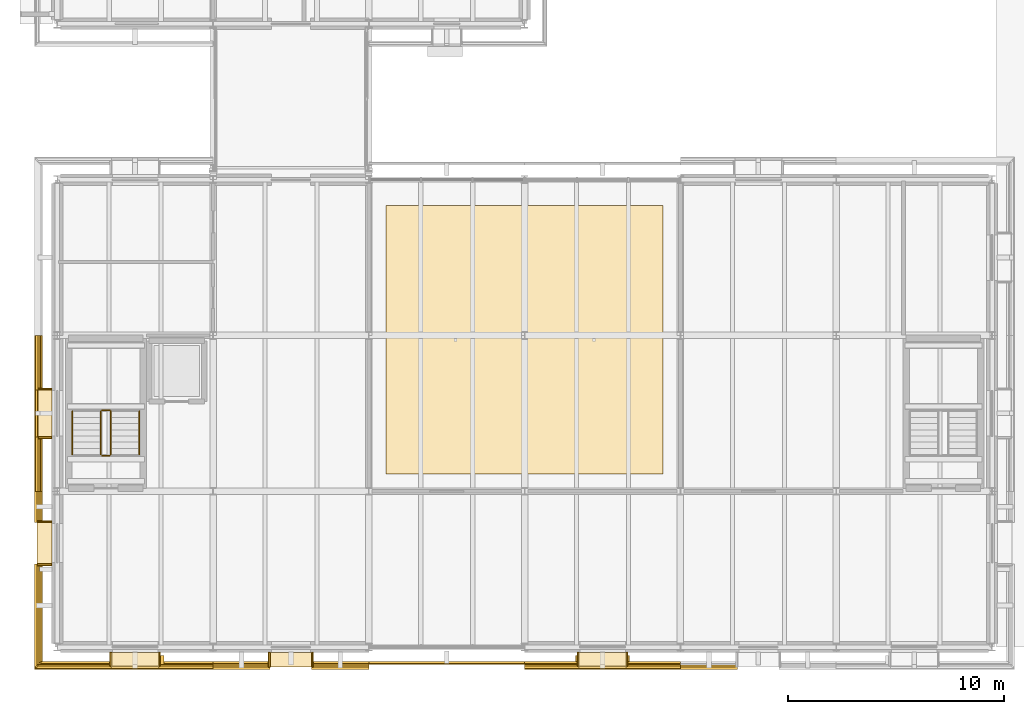
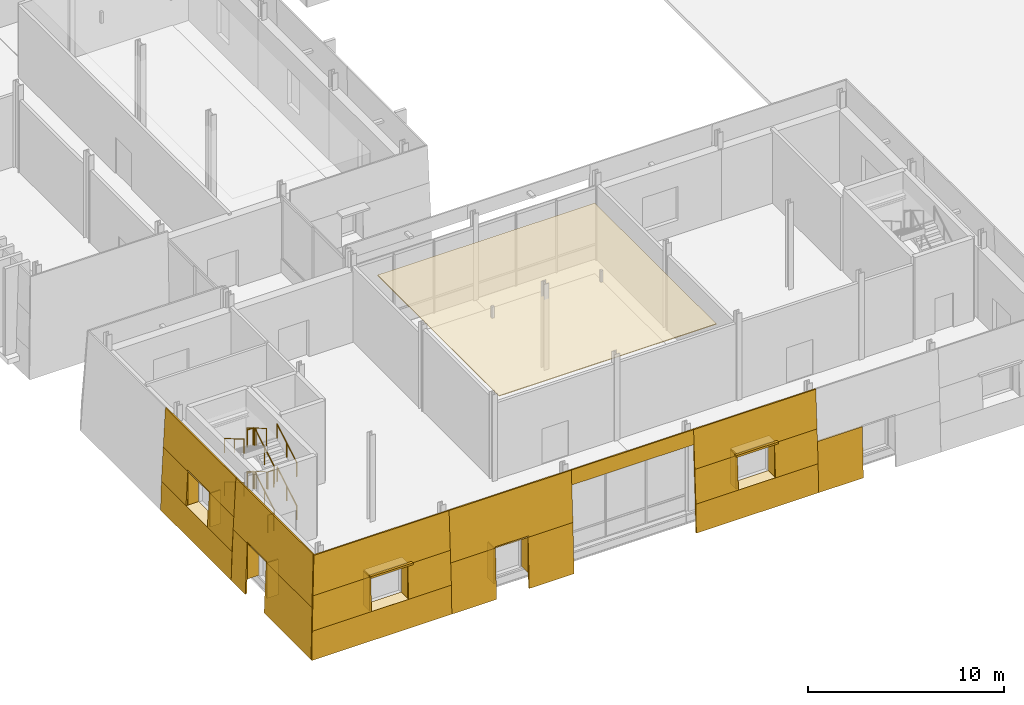
# One storey, part 98 of 120: 39 coverings, 12 railings, 2 shading devices.
"""IFC4 building model written with IfcOpenShell, lengths in metres."""

from ifc_helpers import new_model, si_unit, direction, frame, origin, origin_2d, place, context, subcontext, project, spatial, polyline, rectangle, circle, outline, extrude, material, layer, layer_set, type_object, element, save


model = new_model("IFC4")

# Units and contexts
model_context = context("Model", 3, precision=1e-05, world=origin(), true_north=direction((0.0, 1.0)))
body_context = subcontext(model_context, "Body", "Model", "MODEL_VIEW")
ifc_project = project(units=[si_unit("LENGTHUNIT", "METRE"), si_unit("AREAUNIT", "SQUARE_METRE"), si_unit("VOLUMEUNIT", "CUBIC_METRE"), si_unit("PLANEANGLEUNIT", "RADIAN"), si_unit("MASSUNIT", "GRAM", prefix="KILO")], contexts=[model_context])

# Site, building, storey
site_placement = place(None, origin())
site = spatial("IfcSite", under=ifc_project, at=site_placement, CompositionType="ELEMENT")
building_placement = place(site_placement, origin())
building = spatial("IfcBuilding", under=site, at=building_placement, Name="Narikvali Park Central Library", CompositionType="ELEMENT")
storey_placement = place(building_placement, origin())
storey = spatial("IfcBuildingStorey", under=building, at=storey_placement, Name="L00", CompositionType="ELEMENT", Elevation=0.0)

# Coverings
ifc_material_1 = material(Name="Acoustic Micro-Perforated Caucasian Oak")
ifc_layer_1 = layer(ifc_material_1, 0.044921875, Name="Acoustic Micro-Perforated Caucasian Oak")
ifc_layer_set_1 = layer_set([ifc_layer_1], Name="Acoustic Micro-Perforated Caucasian Oak")
covering_type_1 = type_object("IfcCoveringType", Name="Acoustic Perforated Timber Suspended Ceiling", PredefinedType="CEILING", material=ifc_layer_set_1)
covering_1_placement = place(storey_placement, frame((0.0, 0.0, 4.39501953125)))
element("IfcCovering", 1, at=covering_1_placement, inside=storey, type_object=covering_type_1, Name="V2 L00 Acoustic Suspended Ceiling 03", PredefinedType="CEILING", context=body_context, shape_type="SweptSolid", body=[
    extrude(outline(polyline([(15.199951171875, 8.0), (28.0, 8.0), (28.0, 20.39990234375), (15.199951171875, 20.39990234375), (15.199951171875, 8.0)])), origin(), (0.0, 0.0, 1.0), 0.044921875),
])
ifc_material_2 = material(Name="White Honed Limestone Cladding", Category="masonry")
ifc_layer_2 = layer(ifc_material_2, 0.0849609375, Name="White Honed Limestone Cladding")
ifc_layer_set_2 = layer_set([ifc_layer_2], Name="White Honed Limestone Cladding")
covering_type_2 = type_object("IfcCoveringType", Name="Battered White Limestone Facade Cladding Panel", PredefinedType="CLADDING", material=ifc_layer_set_2)
covering_2_placement = place(storey_placement, frame((-1.0400390625, -1.0400390625, -0.8798828125), z_axis=(0.0, -0.999653349735, 0.026328318676), x_axis=(1.0, 0.0, 0.0)))
element("IfcCovering", 2, at=covering_2_placement, inside=storey, type_object=covering_type_2, Name="V2 L00 S Battered Limestone Spandrel B01", PredefinedType="CLADDING", context=body_context, shape_type="SweptSolid", body=[
    extrude(outline(polyline([(0.0, 0.0), (8.239990234375, 0.0), (8.239990234375, 1.7804023331912475), (0.046875, 1.7804023331912475), (0.0, 0.0)])), origin(), (0.0, 0.0, -1.0), 0.0849609375),
])
covering_3_placement = place(storey_placement, frame((-0.883544921875, -0.883544921875, 3.0), z_axis=(0.0, -0.998646306508, 0.052014944957), x_axis=(1.0, 0.0, 0.0)))
element("IfcCovering", 3, at=covering_3_placement, inside=storey, type_object=covering_type_2, Name="V2 L00 S Battered Limestone Lintel B01", PredefinedType="CLADDING", context=body_context, shape_type="SweptSolid", body=[
    extrude(outline(polyline([(0.0, 0.0), (8.08349609375, 0.0), (8.08349609375, 2.403155479684313), (0.125, 2.403155479684313), (0.0, 0.0)])), origin(), (0.0, 0.0, -1.0), 0.0849609375),
])
covering_4_placement = place(storey_placement, frame((-0.9931640625, -0.9931640625, 0.89990234375), z_axis=(0.0, -0.998640505436, 0.05212620169), x_axis=(1.0, 0.0, 0.0)))
element("IfcCovering", 4, at=covering_4_placement, inside=storey, type_object=covering_type_2, Name="V2 L00 S Battered Limestone Jamb Pier L B01", PredefinedType="CLADDING", context=body_context, shape_type="SweptSolid", body=[
    extrude(outline(polyline([(0.0, 0.0), (3.503173828125, 0.0), (3.503173828125, 2.102956614335661), (0.109619140625, 2.102956614335661), (0.0, 0.0)])), origin(), (0.0, 0.0, -1.0), 0.0849609375),
])
covering_5_placement = place(storey_placement, frame((4.68994140625, -0.9931640625, 0.89990234375), z_axis=(0.0, -0.998640505436, 0.05212620169), x_axis=(1.0, 0.0, 0.0)))
element("IfcCovering", 5, at=covering_5_placement, inside=storey, type_object=covering_type_2, Name="V2 L00 S Battered Limestone Jamb Pier R B01", PredefinedType="CLADDING", context=body_context, shape_type="SweptSolid", body=[
    extrude(outline(polyline([(0.0, 0.0), (2.510009765625, 0.0), (2.510009765625, 2.102956614335661), (0.0, 2.102956614335661), (0.0, 0.0)])), origin(), (0.0, 0.0, -1.0), 0.0849609375),
])
covering_6_placement = place(storey_placement, frame((7.199951171875, -1.0400390625, -0.8798828125), z_axis=(0.0, -0.999301161828, 0.037378977647), x_axis=(1.0, 0.0, 0.0)))
element("IfcCovering", 6, at=covering_6_placement, inside=storey, type_object=covering_type_2, Name="V2 L00 S Battered Portal Pier L B02", PredefinedType="CLADDING", context=body_context, shape_type="SweptSolid", body=[
    extrude(outline(polyline([(0.0, 0.0), (2.64013671875, 0.0), (2.64013671875, 3.1220548579859955), (0.0, 3.1220548579859955), (0.0, 0.0)])), origin(), (0.0, 0.0, -1.0), 0.0849609375),
])
covering_7_placement = place(storey_placement, frame((11.760009765625, -1.0400390625, -0.8798828125), z_axis=(0.0, -0.999301161828, 0.037378977647), x_axis=(1.0, 0.0, 0.0)))
element("IfcCovering", 7, at=covering_7_placement, inside=storey, type_object=covering_type_2, Name="V2 L00 S Battered Portal Pier R B02", PredefinedType="CLADDING", context=body_context, shape_type="SweptSolid", body=[
    extrude(outline(polyline([(0.0, 0.0), (2.639892578125, 0.0), (2.639892578125, 3.122054857985996), (0.0, 3.122054857985996), (0.0, 0.0)])), origin(), (0.0, 0.0, -1.0), 0.0849609375),
])
covering_8_placement = place(storey_placement, frame((7.199951171875, -0.92333984375, 2.239990234375), z_axis=(0.0, -0.998642865618, 0.052080965332), x_axis=(1.0, 0.0, 0.0)))
element("IfcCovering", 8, at=covering_8_placement, inside=storey, type_object=covering_type_2, Name="V2 L00 S Battered Portal Header B02", PredefinedType="CLADDING", context=body_context, shape_type="SweptSolid", body=[
    extrude(outline(polyline([(0.0, 0.0), (7.199951171875, 0.0), (7.199951171875, 3.1642063626208943), (0.0, 3.1642063626208943), (0.0, 0.0)])), origin(), (0.0, 0.0, -1.0), 0.0849609375),
])
covering_9_placement = place(storey_placement, frame((14.39990234375, -0.805419921875, 4.5), z_axis=(0.0, -0.998646123248, 0.052018463284), x_axis=(1.0, 0.0, 0.0)))
element("IfcCovering", 9, at=covering_9_placement, inside=storey, type_object=covering_type_2, Name="V2 L00 S Battered Limestone Spandrel Header B03", PredefinedType="CLADDING", context=body_context, shape_type="SweptSolid", body=[
    extrude(outline(polyline([(0.0, 0.0), (7.2001953125, 0.0), (7.2001953125, 0.9011223523538539), (0.0, 0.9011223523538539), (0.0, 0.0)])), origin(), (0.0, 0.0, -1.0), 0.0849609375),
])
covering_10_placement = place(storey_placement, frame((21.60009765625, -1.0400390625, -0.8798828125), z_axis=(0.0, -0.999653349735, 0.026328318676), x_axis=(1.0, 0.0, 0.0)))
element("IfcCovering", 10, at=covering_10_placement, inside=storey, type_object=covering_type_2, Name="V2 L00 S Battered Limestone Spandrel B04", PredefinedType="CLADDING", context=body_context, shape_type="SweptSolid", body=[
    extrude(outline(polyline([(0.0, 0.0), (7.199951171875, 0.0), (7.199951171875, 1.7804023331912473), (0.0, 1.7804023331912473), (0.0, 0.0)])), origin(), (0.0, 0.0, -1.0), 0.0849609375),
])
covering_11_placement = place(storey_placement, frame((21.60009765625, -0.883544921875, 3.0), z_axis=(0.0, -0.998646306508, 0.052014944957), x_axis=(1.0, 0.0, 0.0)))
element("IfcCovering", 11, at=covering_11_placement, inside=storey, type_object=covering_type_2, Name="V2 L00 S Battered Limestone Lintel B04", PredefinedType="CLADDING", context=body_context, shape_type="SweptSolid", body=[
    extrude(outline(polyline([(0.0, 0.0), (7.199951171875, 0.0), (7.199951171875, 2.4031554796843135), (0.0, 2.4031554796843135), (0.0, 0.0)])), origin(), (0.0, 0.0, -1.0), 0.0849609375),
])
for number, where, z_axis, x_axis, name in (
    (12, (21.60009765625, -0.9931640625, 0.89990234375), (0.0, -0.998640505436, 0.05212620169), (1.0, 0.0, 0.0), "V2 L00 S Battered Limestone Jamb Pier L B04"),
    (13, (26.2900390625, -0.9931640625, 0.89990234375), (0.0, -0.998640505436, 0.05212620169), (1.0, 0.0, 0.0), "V2 L00 S Battered Limestone Jamb Pier R B04"),
):
    element("IfcCovering", number, at=place(storey_placement, frame(where, z_axis=z_axis, x_axis=x_axis)), inside=storey, type_object=covering_type_2, Name=name, PredefinedType="CLADDING", context=body_context, shape_type="SweptSolid", body=[
        extrude(outline(polyline([(0.0, 0.0), (2.510009765625, 0.0), (2.510009765625, 2.102956614335661), (0.0, 2.102956614335661), (0.0, 0.0)])), origin(), (0.0, 0.0, -1.0), 0.0849609375),
    ])
covering_12_placement = place(storey_placement, frame((28.800048828125, -1.0400390625, -0.8798828125), z_axis=(0.0, -0.999301161828, 0.037378977647), x_axis=(1.0, 0.0, 0.0)))
element("IfcCovering", 14, at=covering_12_placement, inside=storey, type_object=covering_type_2, Name="V2 L00 S Battered Portal Pier L B05", PredefinedType="CLADDING", context=body_context, shape_type="SweptSolid", body=[
    extrude(outline(polyline([(0.0, 0.0), (2.639892578125, 0.0), (2.639892578125, 3.122054857985996), (0.0, 3.122054857985996), (0.0, 0.0)])), origin(), (0.0, 0.0, -1.0), 0.0849609375),
])
covering_13_placement = place(storey_placement, frame((-1.0400390625, 14.39990234375, -0.8798828125), z_axis=(-0.999653349735, 0.0, 0.026328318676), x_axis=(0.0, -1.0, 0.0)))
element("IfcCovering", 15, at=covering_13_placement, inside=storey, type_object=covering_type_2, Name="V2 L00 W Battered Limestone Spandrel B02", PredefinedType="CLADDING", context=body_context, shape_type="SweptSolid", body=[
    extrude(outline(polyline([(0.0, 0.0), (7.199951171875, 0.0), (7.199951171875, 1.7804023331912473), (0.0, 1.7804023331912473), (0.0, 0.0)])), origin(), (0.0, 0.0, -1.0), 0.0849609375),
])
covering_14_placement = place(storey_placement, frame((-0.883544921875, 14.39990234375, 3.0), z_axis=(-0.998646306508, 0.0, 0.052014944957), x_axis=(0.0, -1.0, 0.0)))
element("IfcCovering", 16, at=covering_14_placement, inside=storey, type_object=covering_type_2, Name="V2 L00 W Battered Limestone Lintel B02", PredefinedType="CLADDING", context=body_context, shape_type="SweptSolid", body=[
    extrude(outline(polyline([(0.0, 0.0), (7.199951171875, 0.0), (7.199951171875, 2.4031554796843135), (0.0, 2.4031554796843135), (0.0, 0.0)])), origin(), (0.0, 0.0, -1.0), 0.0849609375),
])
for number, where, z_axis, x_axis, name in (
    (17, (-0.9931640625, 14.39990234375, 0.89990234375), (-0.998640505436, 0.0, 0.05212620169), (0.0, -1.0, 0.0), "V2 L00 W Battered Limestone Jamb Pier L B02"),
    (18, (-0.9931640625, 9.7099609375, 0.89990234375), (-0.998640505436, 0.0, 0.05212620169), (0.0, -1.0, 0.0), "V2 L00 W Battered Limestone Jamb Pier R B02"),
):
    element("IfcCovering", number, at=place(storey_placement, frame(where, z_axis=z_axis, x_axis=x_axis)), inside=storey, type_object=covering_type_2, Name=name, PredefinedType="CLADDING", context=body_context, shape_type="SweptSolid", body=[
        extrude(outline(polyline([(0.0, 0.0), (2.510009765625, 0.0), (2.510009765625, 2.102956614335661), (0.0, 2.102956614335661), (0.0, 0.0)])), origin(), (0.0, 0.0, -1.0), 0.0849609375),
    ])
covering_15_placement = place(storey_placement, frame((-1.0400390625, 7.199951171875, -0.8798828125), z_axis=(-0.999301161828, 0.0, 0.037378977647), x_axis=(0.0, -1.0, 0.0)))
element("IfcCovering", 19, at=covering_15_placement, inside=storey, type_object=covering_type_2, Name="V2 L00 W Battered Portal Pier L B03", PredefinedType="CLADDING", context=body_context, shape_type="SweptSolid", body=[
    extrude(outline(polyline([(0.0, 0.0), (1.43994140625, 0.0), (1.43994140625, 3.1220548579859955), (0.0, 3.1220548579859955), (0.0, 0.0)])), origin(), (0.0, 0.0, -1.0), 0.0849609375),
])
covering_16_placement = place(storey_placement, frame((-1.0400390625, 3.840087890625, -0.8798828125), z_axis=(-0.999301161828, 0.0, 0.037378977647), x_axis=(0.0, -1.0, 0.0)))
element("IfcCovering", 20, at=covering_16_placement, inside=storey, type_object=covering_type_2, Name="V2 L00 W Battered Portal Pier R B03", PredefinedType="CLADDING", context=body_context, shape_type="SweptSolid", body=[
    extrude(outline(polyline([(0.0, 0.0), (4.795166015625, 0.0), (4.678466796875, 3.1220548579859955), (0.0, 3.1220548579859955), (0.0, 0.0)])), origin(), (0.0, 0.0, -1.0), 0.0849609375),
])
covering_17_placement = place(storey_placement, frame((-0.92333984375, 7.199951171875, 2.239990234375), z_axis=(-0.998642865618, 0.0, 0.052080965332), x_axis=(0.0, -1.0, 0.0)))
element("IfcCovering", 21, at=covering_17_placement, inside=storey, type_object=covering_type_2, Name="V2 L00 W Battered Portal Header B03", PredefinedType="CLADDING", context=body_context, shape_type="SweptSolid", body=[
    extrude(outline(polyline([(0.0, 0.0), (8.038330078125, 0.0), (7.87353515625, 3.164206362620894), (0.0, 3.164206362620894), (0.0, 0.0)])), origin(), (0.0, 0.0, -1.0), 0.0849609375),
])

# Shading devices
ifc_material_3 = material(Name="Anodised Bronze Aluminium", Category="aluminium")
ifc_layer_3 = layer(ifc_material_3, 0.1201171875, Name="Anodised Bronze Aluminium")
ifc_layer_set_3 = layer_set([ifc_layer_3], Name="Anodised Bronze Aluminium")
shading_device_type = type_object("IfcShadingDeviceType", Name="Bronze Classical Cornice Sun Brise-Soleil 650", PredefinedType="SHUTTER", material=ifc_layer_set_3)
for number, where, z_axis, x_axis, name in (
    (22, (3.677001953125, -0.719970703125, 3.0), (0.0, 0.0, 1.0), (1.0, 0.0, 0.0), "V2 L00 Classical Bronze Brise-Soleil 01"),
    (23, (25.199951171875, -0.719970703125, 3.0), (0.0, 0.0, 1.0), (1.0, 0.0, 0.0), "V2 L00 Classical Bronze Brise-Soleil 04"),
):
    element("IfcShadingDevice", number, at=place(storey_placement, frame(where, z_axis=z_axis, x_axis=x_axis)), inside=storey, type_object=shading_device_type, Name=name, PredefinedType="SHUTTER", context=body_context, shape_type="SweptSolid", body=[
        extrude(rectangle(XDim=2.5, YDim=0.64990234375, at=origin_2d()), origin(), (0.0, 0.0, 1.0), 0.1201171875),
    ])

# Coverings
ifc_layer_4 = layer(ifc_material_2, 0.080078125, Name="White Honed Limestone Cladding")
ifc_layer_set_4 = layer_set([ifc_layer_4], Name="White Honed Limestone Cladding")
covering_type_3 = type_object("IfcCoveringType", Name="Deep Carved White Limestone Window Reveal", PredefinedType="CLADDING", material=ifc_layer_set_4)
covering_18_placement = place(storey_placement, frame((0.0, 0.0, 3.0)))
element("IfcCovering", 24, at=covering_18_placement, inside=storey, type_object=covering_type_3, Name="Deep Stone Reveal Head V2-RVL-L00-S-B01", PredefinedType="CLADDING", context=body_context, shape_type="SweptSolid", body=[
    extrude(outline(polyline([(2.469970703125, -0.2451171875), (4.72998046875, -0.2451171875), (4.72998046875, -0.883544921875), (2.469970703125, -0.883544921875), (2.469970703125, -0.2451171875)])), origin(), (0.0, 0.0, 1.0), 0.080078125),
])
covering_19_placement = place(storey_placement, frame((0.0, 0.0, 0.820068359375)))
element("IfcCovering", 25, at=covering_19_placement, inside=storey, type_object=covering_type_3, Name="Deep Stone Reveal Sill V2-RVL-L00-S-B01", PredefinedType="CLADDING", context=body_context, shape_type="SweptSolid", body=[
    extrude(outline(polyline([(2.469970703125, -0.2451171875), (4.72998046875, -0.2451171875), (4.72998046875, -0.9931640625), (2.469970703125, -0.9931640625), (2.469970703125, -0.2451171875)])), origin(), (0.0, 0.0, 1.0), 0.079833984375),
])
covering_20_placement = place(storey_placement, frame((0.0, 0.0, 0.89990234375)))
element("IfcCovering", 26, at=covering_20_placement, inside=storey, type_object=covering_type_3, Name="Deep Stone Reveal Jamb L V2-RVL-L00-S-B01", PredefinedType="CLADDING", context=body_context, shape_type="SweptSolid", body=[
    extrude(outline(polyline([(2.429931640625, -0.2451171875), (2.510009765625, -0.2451171875), (2.510009765625, -0.883544921875), (2.429931640625, -0.883544921875), (2.429931640625, -0.2451171875)])), origin(), (0.0, 0.0, 1.0), 2.10009765625),
])
covering_21_placement = place(storey_placement, frame((0.0, 0.0, 0.89990234375)))
element("IfcCovering", 27, at=covering_21_placement, inside=storey, type_object=covering_type_3, Name="Deep Stone Reveal Jamb R V2-RVL-L00-S-B01", PredefinedType="CLADDING", context=body_context, shape_type="SweptSolid", body=[
    extrude(outline(polyline([(4.68994140625, -0.2451171875), (4.77001953125, -0.2451171875), (4.77001953125, -0.883544921875), (4.68994140625, -0.883544921875), (4.68994140625, -0.2451171875)])), origin(), (0.0, 0.0, 1.0), 2.10009765625),
])
covering_22_placement = place(storey_placement, frame((0.0, 0.0, 2.239990234375)))
element("IfcCovering", 28, at=covering_22_placement, inside=storey, type_object=covering_type_3, Name="Deep Stone Reveal Head V2-RVL-L00-S-B02", PredefinedType="CLADDING", context=body_context, shape_type="SweptSolid", body=[
    extrude(outline(polyline([(9.800048828125, -0.2451171875), (11.800048828125, -0.2451171875), (11.800048828125, -0.92333984375), (9.800048828125, -0.92333984375), (9.800048828125, -0.2451171875)])), origin(), (0.0, 0.0, 1.0), 0.080078125),
])
covering_23_placement = place(storey_placement, frame((0.0, 0.0, 0.02001953125)))
element("IfcCovering", 29, at=covering_23_placement, inside=storey, type_object=covering_type_3, Name="Deep Stone Reveal Jamb L V2-RVL-L00-S-B02", PredefinedType="CLADDING", context=body_context, shape_type="SweptSolid", body=[
    extrude(outline(polyline([(9.760009765625, -0.2451171875), (9.840087890625, -0.2451171875), (9.840087890625, -0.92333984375), (9.760009765625, -0.92333984375), (9.760009765625, -0.2451171875)])), origin(), (0.0, 0.0, 1.0), 2.219970703125),
])
covering_24_placement = place(storey_placement, frame((0.0, 0.0, 0.02001953125)))
element("IfcCovering", 30, at=covering_24_placement, inside=storey, type_object=covering_type_3, Name="Deep Stone Reveal Jamb R V2-RVL-L00-S-B02", PredefinedType="CLADDING", context=body_context, shape_type="SweptSolid", body=[
    extrude(outline(polyline([(11.760009765625, -0.2451171875), (11.840087890625, -0.2451171875), (11.840087890625, -0.92333984375), (11.760009765625, -0.92333984375), (11.760009765625, -0.2451171875)])), origin(), (0.0, 0.0, 1.0), 2.219970703125),
])
covering_25_placement = place(storey_placement, frame((0.0, 0.0, 3.0)))
element("IfcCovering", 31, at=covering_25_placement, inside=storey, type_object=covering_type_3, Name="Deep Stone Reveal Head V2-RVL-L00-S-B04", PredefinedType="CLADDING", context=body_context, shape_type="SweptSolid", body=[
    extrude(outline(polyline([(24.070068359375, -0.2451171875), (26.330078125, -0.2451171875), (26.330078125, -0.883544921875), (24.070068359375, -0.883544921875), (24.070068359375, -0.2451171875)])), origin(), (0.0, 0.0, 1.0), 0.080078125),
])
covering_26_placement = place(storey_placement, frame((0.0, 0.0, 0.820068359375)))
element("IfcCovering", 32, at=covering_26_placement, inside=storey, type_object=covering_type_3, Name="Deep Stone Reveal Sill V2-RVL-L00-S-B04", PredefinedType="CLADDING", context=body_context, shape_type="SweptSolid", body=[
    extrude(outline(polyline([(24.070068359375, -0.2451171875), (26.330078125, -0.2451171875), (26.330078125, -0.9931640625), (24.070068359375, -0.9931640625), (24.070068359375, -0.2451171875)])), origin(), (0.0, 0.0, 1.0), 0.079833984375),
])
covering_27_placement = place(storey_placement, frame((0.0, 0.0, 0.89990234375)))
element("IfcCovering", 33, at=covering_27_placement, inside=storey, type_object=covering_type_3, Name="Deep Stone Reveal Jamb L V2-RVL-L00-S-B04", PredefinedType="CLADDING", context=body_context, shape_type="SweptSolid", body=[
    extrude(outline(polyline([(24.030029296875, -0.2451171875), (24.110107421875, -0.2451171875), (24.110107421875, -0.883544921875), (24.030029296875, -0.883544921875), (24.030029296875, -0.2451171875)])), origin(), (0.0, 0.0, 1.0), 2.10009765625),
])
covering_28_placement = place(storey_placement, frame((0.0, 0.0, 0.89990234375)))
element("IfcCovering", 34, at=covering_28_placement, inside=storey, type_object=covering_type_3, Name="Deep Stone Reveal Jamb R V2-RVL-L00-S-B04", PredefinedType="CLADDING", context=body_context, shape_type="SweptSolid", body=[
    extrude(outline(polyline([(26.2900390625, -0.2451171875), (26.3701171875, -0.2451171875), (26.3701171875, -0.883544921875), (26.2900390625, -0.883544921875), (26.2900390625, -0.2451171875)])), origin(), (0.0, 0.0, 1.0), 2.10009765625),
])
covering_29_placement = place(storey_placement, frame((0.0, 0.0, 3.0)))
element("IfcCovering", 35, at=covering_29_placement, inside=storey, type_object=covering_type_3, Name="Deep Stone Reveal Head V2-RVL-L00-W-B02", PredefinedType="CLADDING", context=body_context, shape_type="SweptSolid", body=[
    extrude(outline(polyline([(-0.2451171875, 11.929931640625), (-0.2451171875, 9.669921875), (-0.883544921875, 9.669921875), (-0.883544921875, 11.929931640625), (-0.2451171875, 11.929931640625)])), origin(), (0.0, 0.0, 1.0), 0.080078125),
])
covering_30_placement = place(storey_placement, frame((0.0, 0.0, 0.820068359375)))
element("IfcCovering", 36, at=covering_30_placement, inside=storey, type_object=covering_type_3, Name="Deep Stone Reveal Sill V2-RVL-L00-W-B02", PredefinedType="CLADDING", context=body_context, shape_type="SweptSolid", body=[
    extrude(outline(polyline([(-0.2451171875, 11.929931640625), (-0.2451171875, 9.669921875), (-0.9931640625, 9.669921875), (-0.9931640625, 11.929931640625), (-0.2451171875, 11.929931640625)])), origin(), (0.0, 0.0, 1.0), 0.079833984375),
])
covering_31_placement = place(storey_placement, frame((0.0, 0.0, 0.89990234375)))
element("IfcCovering", 37, at=covering_31_placement, inside=storey, type_object=covering_type_3, Name="Deep Stone Reveal Jamb L V2-RVL-L00-W-B02", PredefinedType="CLADDING", context=body_context, shape_type="SweptSolid", body=[
    extrude(outline(polyline([(-0.2451171875, 11.969970703125), (-0.2451171875, 11.889892578125), (-0.883544921875, 11.889892578125), (-0.883544921875, 11.969970703125), (-0.2451171875, 11.969970703125)])), origin(), (0.0, 0.0, 1.0), 2.10009765625),
])
covering_32_placement = place(storey_placement, frame((0.0, 0.0, 0.89990234375)))
element("IfcCovering", 38, at=covering_32_placement, inside=storey, type_object=covering_type_3, Name="Deep Stone Reveal Jamb R V2-RVL-L00-W-B02", PredefinedType="CLADDING", context=body_context, shape_type="SweptSolid", body=[
    extrude(outline(polyline([(-0.2451171875, 9.7099609375), (-0.2451171875, 9.6298828125), (-0.883544921875, 9.6298828125), (-0.883544921875, 9.7099609375), (-0.2451171875, 9.7099609375)])), origin(), (0.0, 0.0, 1.0), 2.10009765625),
])
covering_33_placement = place(storey_placement, frame((0.0, 0.0, 2.239990234375)))
element("IfcCovering", 39, at=covering_33_placement, inside=storey, type_object=covering_type_3, Name="Deep Stone Reveal Head V2-RVL-L00-W-B03", PredefinedType="CLADDING", context=body_context, shape_type="SweptSolid", body=[
    extrude(outline(polyline([(-0.2451171875, 5.800048828125), (-0.2451171875, 3.800048828125), (-0.92333984375, 3.800048828125), (-0.92333984375, 5.800048828125), (-0.2451171875, 5.800048828125)])), origin(), (0.0, 0.0, 1.0), 0.080078125),
])
covering_34_placement = place(storey_placement, frame((0.0, 0.0, 0.02001953125)))
element("IfcCovering", 40, at=covering_34_placement, inside=storey, type_object=covering_type_3, Name="Deep Stone Reveal Jamb L V2-RVL-L00-W-B03", PredefinedType="CLADDING", context=body_context, shape_type="SweptSolid", body=[
    extrude(outline(polyline([(-0.2451171875, 5.840087890625), (-0.2451171875, 5.760009765625), (-0.92333984375, 5.760009765625), (-0.92333984375, 5.840087890625), (-0.2451171875, 5.840087890625)])), origin(), (0.0, 0.0, 1.0), 2.219970703125),
])
covering_35_placement = place(storey_placement, frame((0.0, 0.0, 0.02001953125)))
element("IfcCovering", 41, at=covering_35_placement, inside=storey, type_object=covering_type_3, Name="Deep Stone Reveal Jamb R V2-RVL-L00-W-B03", PredefinedType="CLADDING", context=body_context, shape_type="SweptSolid", body=[
    extrude(outline(polyline([(-0.2451171875, 3.840087890625), (-0.2451171875, 3.760009765625), (-0.92333984375, 3.760009765625), (-0.92333984375, 3.840087890625), (-0.2451171875, 3.840087890625)])), origin(), (0.0, 0.0, 1.0), 2.219970703125),
])

# Railings
ifc_material_4 = material(Name="Brushed Stainless Steel S355", Category="steel")
ifc_layer_5 = layer(ifc_material_4, 0.044921875, Name="Brushed Stainless Steel S355")
ifc_layer_set_5 = layer_set([ifc_layer_5], Name="Brushed Stainless Steel S355")
railing_type_1 = type_object("IfcRailingType", Name="Stair Tubular Steel Handrail 900", PredefinedType="HANDRAIL", material=ifc_layer_set_5)
railing_1_placement = place(storey_placement, frame((3.800048828125, 8.89990234375, 0.168701171875)))
element("IfcRailing", 42, at=railing_1_placement, inside=storey, type_object=railing_type_1, Name="L00 ST-03 stair handrail 1", PredefinedType="HANDRAIL", context=body_context, shape_type="SweptSolid", body=[
    extrude(circle(Radius=0.02392578125, at=origin_2d()), frame((0.0, 0.0, 0.8759765625), z_axis=(0.0, 0.860460811416, 0.50951662585), x_axis=(-1.0, 0.0, 0.0)), (0.0, 0.0, 1.0), 2.318603515625),
    extrude(circle(Radius=0.02099609375, at=origin_2d()), origin(), (0.0, 0.0, 1.0), 0.851806640625),
    extrude(circle(Radius=0.02099609375, at=origin_2d()), frame((0.0, 0.99755859375, 0.5908203125)), (0.0, 0.0, 1.0), 0.851806640625),
    extrude(circle(Radius=0.02099609375, at=origin_2d()), frame((0.0, 1.9951171875, 1.181396484375)), (0.0, 0.0, 1.0), 0.851806640625),
])
railing_2_placement = place(storey_placement, frame((0.699951171875, 10.89501953125, 1.518798828125)))
element("IfcRailing", 43, at=railing_2_placement, inside=storey, type_object=railing_type_1, Name="L00 ST-03 stair handrail 2", PredefinedType="HANDRAIL", context=body_context, shape_type="SweptSolid", body=[
    extrude(circle(Radius=0.02392578125, at=origin_2d()), frame((0.0, 0.0, 0.8759765625), z_axis=(0.0, -0.860506973166, 0.509438660815), x_axis=(1.0, 0.0, 0.0)), (0.0, 0.0, 1.0), 2.318603515625),
    extrude(circle(Radius=0.02099609375, at=origin_2d()), origin(), (0.0, 0.0, 1.0), 0.851806640625),
    extrude(circle(Radius=0.02099609375, at=origin_2d()), frame((0.0, -0.99755859375, 0.590576171875)), (0.0, 0.0, 1.0), 0.851806640625),
    extrude(circle(Radius=0.02099609375, at=origin_2d()), frame((0.0, -1.9951171875, 1.18115234375)), (0.0, 0.0, 1.0), 0.851806640625),
])
railing_3_placement = place(storey_placement, frame((3.800048828125, 8.89990234375, 2.86865234375)))
element("IfcRailing", 44, at=railing_3_placement, inside=storey, type_object=railing_type_1, Name="L00 ST-03 stair handrail 3", PredefinedType="HANDRAIL", context=body_context, shape_type="SweptSolid", body=[
    extrude(circle(Radius=0.02392578125, at=origin_2d()), frame((0.0, 0.0, 0.8759765625), z_axis=(0.0, 0.860460811416, 0.50951662585), x_axis=(-1.0, 0.0, 0.0)), (0.0, 0.0, 1.0), 2.318603515625),
    extrude(circle(Radius=0.02099609375, at=origin_2d()), origin(), (0.0, 0.0, 1.0), 0.851806640625),
    extrude(circle(Radius=0.02099609375, at=origin_2d()), frame((0.0, 0.99755859375, 0.5908203125)), (0.0, 0.0, 1.0), 0.851806640625),
    extrude(circle(Radius=0.02099609375, at=origin_2d()), frame((0.0, 1.9951171875, 1.181396484375)), (0.0, 0.0, 1.0), 0.851806640625),
])
railing_4_placement = place(storey_placement, frame((0.699951171875, 10.89501953125, 4.21875)))
element("IfcRailing", 45, at=railing_4_placement, inside=storey, type_object=railing_type_1, Name="L00 ST-03 stair handrail 4", PredefinedType="HANDRAIL", context=body_context, shape_type="SweptSolid", body=[
    extrude(circle(Radius=0.02392578125, at=origin_2d()), frame((0.0, 0.0, 0.8759765625), z_axis=(0.0, -0.860506973166, 0.509438660815), x_axis=(1.0, 0.0, 0.0)), (0.0, 0.0, 1.0), 2.318603515625),
    extrude(circle(Radius=0.02099609375, at=origin_2d()), origin(), (0.0, 0.0, 1.0), 0.851806640625),
    extrude(circle(Radius=0.02099609375, at=origin_2d()), frame((0.0, -0.99755859375, 0.590576171875)), (0.0, 0.0, 1.0), 0.851806640625),
    extrude(circle(Radius=0.02099609375, at=origin_2d()), frame((0.0, -1.9951171875, 1.18115234375)), (0.0, 0.0, 1.0), 0.851806640625),
])
ifc_material_5 = material(Name="Powder-Coated Steel S275", Category="steel")
ifc_layer_6 = layer(ifc_material_5, 0.050048828125, Name="Powder-Coated Steel S275")
ifc_layer_set_6 = layer_set([ifc_layer_6], Name="Powder-Coated Steel S275")
railing_type_2 = type_object("IfcRailingType", Name="Stair Well Steel Guardrail 1100", PredefinedType="GUARDRAIL", material=ifc_layer_set_6)
railing_5_placement = place(storey_placement, frame((2.47998046875, 8.89990234375, 0.168701171875)))
element("IfcRailing", 46, at=railing_5_placement, inside=storey, type_object=railing_type_2, Name="L00 ST-03 stair guard 1", PredefinedType="GUARDRAIL", context=body_context, shape_type="SweptSolid", body=[
    extrude(circle(Radius=0.02392578125, at=origin_2d()), frame((0.0, 0.0, 1.076171875), z_axis=(0.0, 0.860460811416, 0.50951662585), x_axis=(-1.0, 0.0, 0.0)), (0.0, 0.0, 1.0), 2.318603515625),
    extrude(circle(Radius=0.02099609375, at=origin_2d()), origin(), (0.0, 0.0, 1.0), 1.052001953125),
    extrude(circle(Radius=0.02099609375, at=origin_2d()), frame((0.0, 0.99755859375, 0.5908203125)), (0.0, 0.0, 1.0), 1.052001953125),
    extrude(circle(Radius=0.02099609375, at=origin_2d()), frame((0.0, 1.9951171875, 1.181396484375)), (0.0, 0.0, 1.0), 1.052001953125),
])
railing_6_placement = place(storey_placement, frame((2.429931640625, 10.945068359375, 1.35009765625)))
element("IfcRailing", 47, at=railing_6_placement, inside=storey, type_object=railing_type_2, Name="L00 ST-03 stair guard 2", PredefinedType="GUARDRAIL", context=body_context, shape_type="SweptSolid", body=[
    extrude(circle(Radius=0.02392578125, at=origin_2d()), frame((0.0, 0.0, 1.076171875), z_axis=(-1.0, 0.0, 0.0), x_axis=(0.0, -1.0, 0.0)), (0.0, 0.0, 1.0), 0.35986328125),
    extrude(circle(Radius=0.02099609375, at=origin_2d()), origin(), (0.0, 0.0, 1.0), 1.052001953125),
    extrude(circle(Radius=0.02099609375, at=origin_2d()), frame((-0.35986328125, 0.0, 0.0)), (0.0, 0.0, 1.0), 1.052001953125),
])
railing_7_placement = place(storey_placement, frame((2.02001953125, 10.89501953125, 1.518798828125)))
element("IfcRailing", 48, at=railing_7_placement, inside=storey, type_object=railing_type_2, Name="L00 ST-03 stair guard 3", PredefinedType="GUARDRAIL", context=body_context, shape_type="SweptSolid", body=[
    extrude(circle(Radius=0.02392578125, at=origin_2d()), frame((0.0, 0.0, 1.076171875), z_axis=(0.0, -0.860506973166, 0.509438660815), x_axis=(1.0, 0.0, 0.0)), (0.0, 0.0, 1.0), 2.318603515625),
    extrude(circle(Radius=0.02099609375, at=origin_2d()), origin(), (0.0, 0.0, 1.0), 1.052001953125),
    extrude(circle(Radius=0.02099609375, at=origin_2d()), frame((0.0, -0.99755859375, 0.590576171875)), (0.0, 0.0, 1.0), 1.052001953125),
    extrude(circle(Radius=0.02099609375, at=origin_2d()), frame((0.0, -1.9951171875, 1.18115234375)), (0.0, 0.0, 1.0), 1.052001953125),
])
railing_8_placement = place(storey_placement, frame((2.429931640625, 8.85009765625, 2.699951171875)))
element("IfcRailing", 49, at=railing_8_placement, inside=storey, type_object=railing_type_2, Name="L00 ST-03 stair guard 4", PredefinedType="GUARDRAIL", context=body_context, shape_type="SweptSolid", body=[
    extrude(circle(Radius=0.02392578125, at=origin_2d()), frame((0.0, 0.0, 1.076171875), z_axis=(-1.0, 0.0, 0.0), x_axis=(0.0, -1.0, 0.0)), (0.0, 0.0, 1.0), 0.35986328125),
    extrude(circle(Radius=0.02099609375, at=origin_2d()), origin(), (0.0, 0.0, 1.0), 1.052001953125),
    extrude(circle(Radius=0.02099609375, at=origin_2d()), frame((-0.35986328125, 0.0, 0.0)), (0.0, 0.0, 1.0), 1.052001953125),
])
railing_9_placement = place(storey_placement, frame((2.47998046875, 8.89990234375, 2.86865234375)))
element("IfcRailing", 50, at=railing_9_placement, inside=storey, type_object=railing_type_2, Name="L00 ST-03 stair guard 5", PredefinedType="GUARDRAIL", context=body_context, shape_type="SweptSolid", body=[
    extrude(circle(Radius=0.02392578125, at=origin_2d()), frame((0.0, 0.0, 1.076171875), z_axis=(0.0, 0.860460811416, 0.50951662585), x_axis=(-1.0, 0.0, 0.0)), (0.0, 0.0, 1.0), 2.318603515625),
    extrude(circle(Radius=0.02099609375, at=origin_2d()), origin(), (0.0, 0.0, 1.0), 1.052001953125),
    extrude(circle(Radius=0.02099609375, at=origin_2d()), frame((0.0, 0.99755859375, 0.5908203125)), (0.0, 0.0, 1.0), 1.052001953125),
    extrude(circle(Radius=0.02099609375, at=origin_2d()), frame((0.0, 1.9951171875, 1.181396484375)), (0.0, 0.0, 1.0), 1.052001953125),
])
railing_10_placement = place(storey_placement, frame((2.429931640625, 10.945068359375, 4.050048828125)))
element("IfcRailing", 51, at=railing_10_placement, inside=storey, type_object=railing_type_2, Name="L00 ST-03 stair guard 6", PredefinedType="GUARDRAIL", context=body_context, shape_type="SweptSolid", body=[
    extrude(circle(Radius=0.02392578125, at=origin_2d()), frame((0.0, 0.0, 1.076171875), z_axis=(-1.0, 0.0, 0.0), x_axis=(0.0, -1.0, 0.0)), (0.0, 0.0, 1.0), 0.35986328125),
    extrude(circle(Radius=0.02099609375, at=origin_2d()), origin(), (0.0, 0.0, 1.0), 1.052001953125),
    extrude(circle(Radius=0.02099609375, at=origin_2d()), frame((-0.35986328125, 0.0, 0.0)), (0.0, 0.0, 1.0), 1.052001953125),
])
railing_11_placement = place(storey_placement, frame((2.02001953125, 10.89501953125, 4.21875)))
element("IfcRailing", 52, at=railing_11_placement, inside=storey, type_object=railing_type_2, Name="L00 ST-03 stair guard 7", PredefinedType="GUARDRAIL", context=body_context, shape_type="SweptSolid", body=[
    extrude(circle(Radius=0.02392578125, at=origin_2d()), frame((0.0, 0.0, 1.076171875), z_axis=(0.0, -0.860506973166, 0.509438660815), x_axis=(1.0, 0.0, 0.0)), (0.0, 0.0, 1.0), 2.318603515625),
    extrude(circle(Radius=0.02099609375, at=origin_2d()), origin(), (0.0, 0.0, 1.0), 1.052001953125),
    extrude(circle(Radius=0.02099609375, at=origin_2d()), frame((0.0, -0.99755859375, 0.590576171875)), (0.0, 0.0, 1.0), 1.052001953125),
    extrude(circle(Radius=0.02099609375, at=origin_2d()), frame((0.0, -1.9951171875, 1.18115234375)), (0.0, 0.0, 1.0), 1.052001953125),
])
railing_12_placement = place(storey_placement, frame((2.429931640625, 8.85009765625, 0.0)))
element("IfcRailing", 53, at=railing_12_placement, inside=storey, type_object=railing_type_2, Name="L00 ST-03 stair guard 8", PredefinedType="GUARDRAIL", context=body_context, shape_type="SweptSolid", body=[
    extrude(circle(Radius=0.02392578125, at=origin_2d()), frame((0.0, 0.0, 1.076171875), z_axis=(-1.0, 0.0, 0.0), x_axis=(0.0, -1.0, 0.0)), (0.0, 0.0, 1.0), 0.35986328125),
    extrude(circle(Radius=0.02099609375, at=origin_2d()), origin(), (0.0, 0.0, 1.0), 1.052001953125),
    extrude(circle(Radius=0.02099609375, at=origin_2d()), frame((-0.35986328125, 0.0, 0.0)), (0.0, 0.0, 1.0), 1.052001953125),
])

save(model, "model.ifc")
